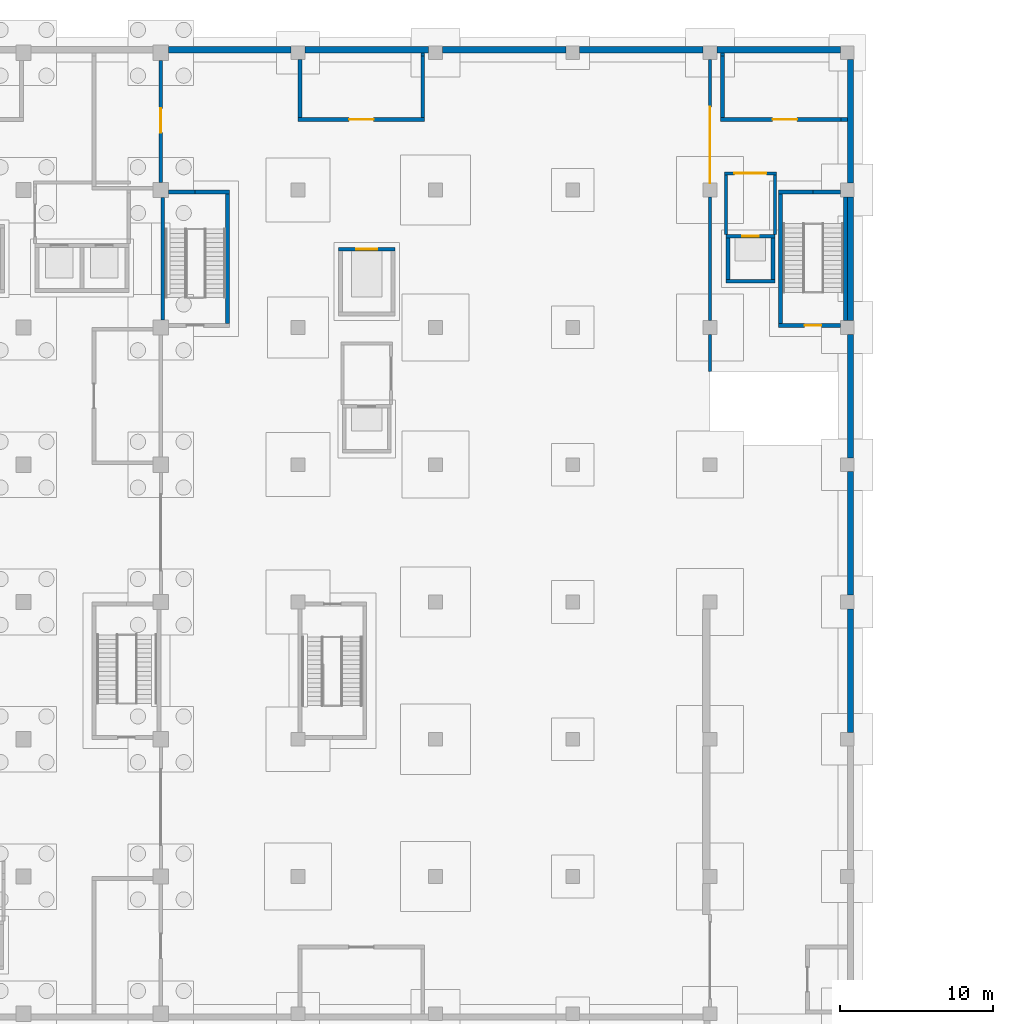
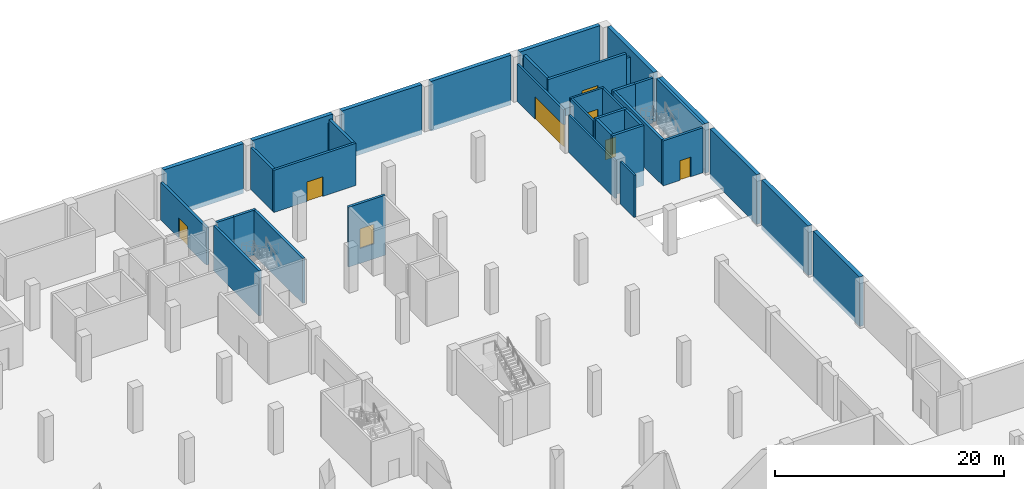
# One storey, part 11 of 17: 39 walls, 8 doors, 8 openings.
"""IFC4 building model written with IfcOpenShell, lengths in metres."""

from ifc_helpers import new_model, si_unit, direction, frame, frame_2d, origin, place, context, subcontext, project, spatial, rectangle, extrude, material, layer, layer_set, type_object, element, fill, save


model = new_model("IFC4")

# Units and contexts
model_context = context("Model", 3, precision=1e-05, world=origin(), true_north=direction((0.0, 1.0)))
body_context = subcontext(model_context, "Body", "Model", "MODEL_VIEW")
ifc_project = project(units=[si_unit("LENGTHUNIT", "METRE"), si_unit("AREAUNIT", "SQUARE_METRE"), si_unit("VOLUMEUNIT", "CUBIC_METRE"), si_unit("PLANEANGLEUNIT", "RADIAN"), si_unit("MASSUNIT", "GRAM", prefix="KILO")], contexts=[model_context])

# Site, building, storey
site_placement = place(None, origin())
site = spatial("IfcSite", under=ifc_project, at=site_placement, CompositionType="ELEMENT")
building_placement = place(site_placement, origin())
building = spatial("IfcBuilding", under=site, at=building_placement, Name="Guidao Yard Department Store", CompositionType="ELEMENT")
storey_placement = place(building_placement, frame((0.0, 0.0, -9.89990234375)))
storey = spatial("IfcBuildingStorey", under=building, at=storey_placement, Name="B2", CompositionType="ELEMENT", Elevation=-9.89990234375)

# Walls
ifc_material_1 = material(Name="Autoclaved aerated concrete block A3.5 B06", Category="concrete")
ifc_layer_1 = layer(ifc_material_1, 0.199951171875)
ifc_layer_set_1 = layer_set([ifc_layer_1], Name="Compartment Fire Wall 200 Autoclaved Block EI 180")
wall_type_1 = type_object("IfcWallType", Name="Compartment Fire Wall 200 Autoclaved Block EI 180", PredefinedType="PARTITIONING", material=ifc_layer_set_1)
wall_1_placement = place(storey_placement, frame((99.0, 87.10009765625, 0.0), z_axis=(0.0, 0.0, 1.0), x_axis=(0.0, 1.0, 0.0)))
element("IfcWall", 1, at=wall_1_placement, inside=storey, type_object=wall_type_1, Name="pt.wall.B2.0061", PredefinedType="PARTITIONING", context=body_context, shape_type="SweptSolid", body=[
    extrude(rectangle(XDim=2.449951171875, YDim=0.199951171875, at=frame_2d((1.22509765625, 0.0))), origin(), (0.0, 0.0, 1.0), 4.5),
])
wall_2_placement = place(storey_placement, frame((99.0, 90.449951171875, 0.0), z_axis=(0.0, 0.0, 1.0), x_axis=(0.0, 1.0, 0.0)))
element("IfcWall", 2, at=wall_2_placement, inside=storey, type_object=wall_type_1, Name="pt.wall.B2.0062", PredefinedType="PARTITIONING", context=body_context, shape_type="SweptSolid", body=[
    extrude(rectangle(XDim=8.10009765625, YDim=0.199951171875, at=frame_2d((4.050048828125, 0.0))), origin(), (0.0, 0.0, 1.0), 4.0),
])

# Wall, opening, door
wall_3_placement = place(storey_placement, frame((99.0, 99.449951171875, 0.0), z_axis=(0.0, 0.0, 1.0), x_axis=(0.0, 1.0, 0.0)))
wall_3 = element("IfcWall", 3, at=wall_3_placement, inside=storey, type_object=wall_type_1, Name="pt.wall.B2.0063", PredefinedType="PARTITIONING", context=body_context, shape_type="SweptSolid", body=[
    extrude(rectangle(XDim=8.10009765625, YDim=0.199951171875, at=frame_2d((4.050048828125, 0.0))), origin(), (0.0, 0.0, 1.0), 4.0),
])
opening_1_placement = place(wall_3_placement, origin())
opening_1 = element("IfcOpeningElement", 4, at=opening_1_placement, cuts=wall_3, Name="Opening B2-429", PredefinedType="OPENING", context=body_context, shape_type="SweptSolid", body=[
    extrude(rectangle(XDim=5.0, YDim=2.39990234375, at=frame_2d((2.5, 1.199951171875))), frame((0.0, 0.10986328125, 0.0), z_axis=(0.0, -1.0, 0.0), x_axis=(1.0, 0.0, 0.0)), (0.0, 0.0, 1.0), 0.219970703125),
])
ifc_material_2 = material(Name="Steel Q235", Category="steel")
door_type_1 = type_object("IfcDoorType", Name="Fire Shutter 5000 x 2400 FD90", OperationType="ROLLINGUP", PredefinedType="DOOR", material=ifc_material_2)
door_1_placement = place(opening_1_placement, origin())
door_1 = element("IfcDoor", 5, at=door_1_placement, inside=storey, type_object=door_type_1, Name="Door B2-429", OperationType="SINGLE_SWING_LEFT", OverallHeight=2.39990234375, OverallWidth=5.0, PredefinedType="DOOR", context=body_context, shape_type="SweptSolid", body=[
    extrude(rectangle(XDim=5.0, YDim=2.39990234375, at=frame_2d((2.5, 1.199951171875))), frame((0.0, 0.02490234375, 0.0), z_axis=(0.0, -1.0, 0.0), x_axis=(1.0, 0.0, 0.0)), (0.0, 0.0, 1.0), 0.050048828125),
])
fill(opening_1, door_1)

# Walls
ifc_material_3 = material(Name="Concrete C40", Category="concrete")
ifc_layer_2 = layer(ifc_material_3, 0.39990234375)
ifc_layer_set_2 = layer_set([ifc_layer_2], Name="Retaining wall 400 C40")
wall_type_2 = type_object("IfcWallType", Name="Retaining wall 400 C40", PredefinedType="SOLIDWALL", material=ifc_layer_set_2)
for number, where, z_axis, x_axis, name in (
    (6, (108.199951171875, 63.449951171875, -0.5), (0.0, 0.0, 1.0), (0.0, 1.0, 0.0), "Retaining wall B2-040"),
    (7, (108.199951171875, 72.449951171875, -0.5), (0.0, 0.0, 1.0), (0.0, 1.0, 0.0), "Retaining wall B2-042"),
    (8, (108.199951171875, 81.449951171875, -0.5), (0.0, 0.0, 1.0), (0.0, 1.0, 0.0), "Retaining wall B2-044"),
    (9, (108.199951171875, 90.449951171875, -0.5), (0.0, 0.0, 1.0), (0.0, 1.0, 0.0), "Retaining wall B2-046"),
    (10, (108.199951171875, 99.449951171875, -0.5), (0.0, 0.0, 1.0), (0.0, 1.0, 0.0), "Retaining wall B2-048"),
):
    element("IfcWall", number, at=place(storey_placement, frame(where, z_axis=z_axis, x_axis=x_axis)), inside=storey, type_object=wall_type_2, Name=name, PredefinedType="SOLIDWALL", context=body_context, shape_type="SweptSolid", body=[
        extrude(rectangle(XDim=8.10009765625, YDim=0.39990234375, at=frame_2d((4.050048828125, 0.0))), origin(), (0.0, 0.0, 1.0), 5.2998046875),
    ])
wall_4_placement = place(storey_placement, frame((63.5, 108.199951171875, -0.5), z_axis=(0.0, 0.0, 1.0), x_axis=(1.0, 0.0, 0.0)))
element("IfcWall", 11, at=wall_4_placement, inside=storey, type_object=wall_type_2, Name="Retaining wall B2-057", PredefinedType="SOLIDWALL", context=body_context, shape_type="SweptSolid", body=[
    extrude(rectangle(XDim=8.050048828125, YDim=0.39990234375, at=frame_2d((4.02490234375, 0.0))), origin(), (0.0, 0.0, 1.0), 5.2998046875),
])
for number, where, z_axis, x_axis, name in (
    (12, (72.449951171875, 108.199951171875, -0.5), (0.0, 0.0, 1.0), (1.0, 0.0, 0.0), "Retaining wall B2-058"),
    (13, (81.449951171875, 108.199951171875, -0.5), (0.0, 0.0, 1.0), (1.0, 0.0, 0.0), "Retaining wall B2-059"),
    (14, (90.449951171875, 108.199951171875, -0.5), (0.0, 0.0, 1.0), (1.0, 0.0, 0.0), "Retaining wall B2-060"),
    (15, (99.449951171875, 108.199951171875, -0.5), (0.0, 0.0, 1.0), (1.0, 0.0, 0.0), "Retaining wall B2-061"),
):
    element("IfcWall", number, at=place(storey_placement, frame(where, z_axis=z_axis, x_axis=x_axis)), inside=storey, type_object=wall_type_2, Name=name, PredefinedType="SOLIDWALL", context=body_context, shape_type="SweptSolid", body=[
        extrude(rectangle(XDim=8.10009765625, YDim=0.39990234375, at=frame_2d((4.050048828125, 0.0))), origin(), (0.0, 0.0, 1.0), 5.2998046875),
    ])

# Wall, opening, door
ifc_material_4 = material(Name="Autoclaved aerated concrete block A3.5 B06", Category="concrete")
ifc_layer_3 = layer(ifc_material_4, 0.199951171875)
ifc_layer_set_3 = layer_set([ifc_layer_3], Name="Shaft Wall 200 Autoclaved Block EI 120")
wall_type_3 = type_object("IfcWallType", Name="Shaft Wall 200 Autoclaved Block EI 120", PredefinedType="PARTITIONING", material=ifc_layer_set_3)
wall_5_placement = place(storey_placement, frame((99.949951171875, 100.10009765625, 0.0), z_axis=(0.0, 0.0, 1.0), x_axis=(1.0, 0.0, 0.0)))
wall_5 = element("IfcWall", 16, at=wall_5_placement, inside=storey, type_object=wall_type_3, Name="pt.wall.B2.0027", PredefinedType="PARTITIONING", context=body_context, shape_type="SweptSolid", body=[
    extrude(rectangle(XDim=3.400146484375, YDim=0.199951171875, at=frame_2d((1.7001953125, 0.0))), origin(), (0.0, 0.0, 1.0), 4.5),
])
opening_2_placement = place(wall_5_placement, frame((2.75, 0.0, 0.0), z_axis=(0.0, 0.0, 1.0), x_axis=(-1.0, 0.0, 0.0)))
opening_2 = element("IfcOpeningElement", 17, at=opening_2_placement, cuts=wall_5, Name="Opening B2-423", PredefinedType="OPENING", context=body_context, shape_type="SweptSolid", body=[
    extrude(rectangle(XDim=2.10009765625, YDim=2.39990234375, at=frame_2d((1.050048828125, 1.199951171875))), frame((0.0, 0.10986328125, 0.0), z_axis=(0.0, -1.0, 0.0), x_axis=(1.0, 0.0, 0.0)), (0.0, 0.0, 1.0), 0.219970703125),
])
ifc_material_5 = material(Name="Timber door leaf with Steel Q235 frame", Category="steel")
door_type_2 = type_object("IfcDoorType", Name="Door 2100 x 2400 FD60 Double Leaf", OperationType="DOUBLE_DOOR_SINGLE_SWING", PredefinedType="DOOR", material=ifc_material_5)
door_2_placement = place(opening_2_placement, origin())
door_2 = element("IfcDoor", 18, at=door_2_placement, inside=storey, type_object=door_type_2, Name="Door B2-423", OperationType="DOUBLE_DOOR_SINGLE_SWING", OverallHeight=2.39990234375, OverallWidth=2.10009765625, PredefinedType="DOOR", context=body_context, shape_type="SweptSolid", body=[
    extrude(rectangle(XDim=2.10009765625, YDim=2.39990234375, at=frame_2d((1.050048828125, 1.199951171875))), frame((0.0, 0.02490234375, 0.0), z_axis=(0.0, -1.0, 0.0), x_axis=(1.0, 0.0, 0.0)), (0.0, 0.0, 1.0), 0.050048828125),
])
fill(opening_2, door_2)

# Walls
for number, where, z_axis, x_axis, name in (
    (19, (100.050048828125, 96.10009765625, 0.0), (0.0, 0.0, 1.0), (0.0, 1.0, 0.0), "pt.wall.B2.0065"),
    (20, (103.25, 96.10009765625, 0.0), (0.0, 0.0, 1.0), (0.0, 1.0, 0.0), "pt.wall.B2.0066"),
):
    element("IfcWall", number, at=place(storey_placement, frame(where, z_axis=z_axis, x_axis=x_axis)), inside=storey, type_object=wall_type_3, Name=name, PredefinedType="PARTITIONING", context=body_context, shape_type="SweptSolid", body=[
        extrude(rectangle(XDim=3.89990234375, YDim=0.199951171875, at=frame_2d((1.949951171875, 0.0))), origin(), (0.0, 0.0, 1.0), 4.5),
    ])

# Wall, opening, door
ifc_material_6 = material(Name="Concrete C40", Category="concrete")
ifc_layer_4 = layer(ifc_material_6, 0.25)
ifc_layer_set_4 = layer_set([ifc_layer_4], Name="Support Wall 250 Concrete C40")
wall_type_4 = type_object("IfcWallType", Name="Support Wall 250 Concrete C40", PredefinedType="SOLIDWALL", material=ifc_layer_set_4)
wall_6_placement = place(storey_placement, frame((72.0, 103.625, 0.0), z_axis=(0.0, 0.0, 1.0), x_axis=(1.0, 0.0, 0.0)))
wall_6 = element("IfcWall", 21, at=wall_6_placement, inside=storey, type_object=wall_type_4, Name="pt.wall.B2.0029", PredefinedType="SOLIDWALL", context=body_context, shape_type="SweptSolid", body=[
    extrude(rectangle(XDim=8.300048828125, YDim=0.25, at=frame_2d((4.14990234375, 0.0))), origin(), (0.0, 0.0, 1.0), 4.5),
])
opening_3_placement = place(wall_6_placement, frame((3.35009765625, 0.0, 0.0)))
opening_3 = element("IfcOpeningElement", 22, at=opening_3_placement, cuts=wall_6, Name="Opening B2-413", PredefinedType="OPENING", context=body_context, shape_type="SweptSolid", body=[
    extrude(rectangle(XDim=1.60009765625, YDim=2.10009765625, at=frame_2d((0.800048828125, 1.050048828125))), frame((0.0, 0.135009765625, 0.0), z_axis=(0.0, -1.0, 0.0), x_axis=(1.0, 0.0, 0.0)), (0.0, 0.0, 1.0), 0.27001953125),
])
ifc_material_7 = material(Name="Timber door leaf with Steel Q235 frame", Category="steel")
door_type_3 = type_object("IfcDoorType", Name="Door 1600 x 2100 FD60 Double Leaf", OperationType="DOUBLE_DOOR_SINGLE_SWING", PredefinedType="DOOR", material=ifc_material_7)
door_3_placement = place(opening_3_placement, origin())
door_3 = element("IfcDoor", 23, at=door_3_placement, inside=storey, type_object=door_type_3, Name="Door B2-413", OperationType="DOUBLE_DOOR_SINGLE_SWING", OverallHeight=2.10009765625, OverallWidth=1.60009765625, PredefinedType="DOOR", context=body_context, shape_type="SweptSolid", body=[
    extrude(rectangle(XDim=1.60009765625, YDim=2.10009765625, at=frame_2d((0.800048828125, 1.050048828125))), frame((0.0, 0.02490234375, 0.0), z_axis=(0.0, -1.0, 0.0), x_axis=(1.0, 0.0, 0.0)), (0.0, 0.0, 1.0), 0.050048828125),
])
fill(opening_3, door_3)

wall_7_placement = place(storey_placement, frame((99.699951171875, 103.625, 0.0), z_axis=(0.0, 0.0, 1.0), x_axis=(1.0, 0.0, 0.0)))
wall_7 = element("IfcWall", 24, at=wall_7_placement, inside=storey, type_object=wall_type_4, Name="pt.wall.B2.0030", PredefinedType="SOLIDWALL", context=body_context, shape_type="SweptSolid", body=[
    extrude(rectangle(XDim=7.900146484375, YDim=0.25, at=frame_2d((3.9501953125, 0.0))), origin(), (0.0, 0.0, 1.0), 4.5),
])
opening_4_placement = place(wall_7_placement, frame((3.41259765625, 0.0, 0.0)))
opening_4 = element("IfcOpeningElement", 25, at=opening_4_placement, cuts=wall_7, Name="Opening B2-415", PredefinedType="OPENING", context=body_context, shape_type="SweptSolid", body=[
    extrude(rectangle(XDim=1.60009765625, YDim=2.10009765625, at=frame_2d((0.800048828125, 1.050048828125))), frame((0.0, 0.135009765625, 0.0), z_axis=(0.0, -1.0, 0.0), x_axis=(1.0, 0.0, 0.0)), (0.0, 0.0, 1.0), 0.27001953125),
])
door_4_placement = place(opening_4_placement, origin())
door_4 = element("IfcDoor", 26, at=door_4_placement, inside=storey, type_object=door_type_3, Name="Door B2-415", OperationType="DOUBLE_DOOR_SINGLE_SWING", OverallHeight=2.10009765625, OverallWidth=1.60009765625, PredefinedType="DOOR", context=body_context, shape_type="SweptSolid", body=[
    extrude(rectangle(XDim=1.60009765625, YDim=2.10009765625, at=frame_2d((0.800048828125, 1.050048828125))), frame((0.0, 0.02490234375, 0.0), z_axis=(0.0, -1.0, 0.0), x_axis=(1.0, 0.0, 0.0)), (0.0, 0.0, 1.0), 0.050048828125),
])
fill(opening_4, door_4)

# Wall
wall_8_placement = place(storey_placement, frame((107.60009765625, 103.625, 0.0), z_axis=(0.0, 0.0, 1.0), x_axis=(1.0, 0.0, 0.0)))
element("IfcWall", 27, at=wall_8_placement, inside=storey, type_object=wall_type_4, Name="pt.wall.B2.0030a", PredefinedType="SOLIDWALL", context=body_context, shape_type="SweptSolid", body=[
    extrude(rectangle(XDim=0.39990234375, YDim=0.25, at=frame_2d((0.199951171875, 0.0))), origin(), (0.0, 0.0, 1.0), 4.0),
])

# Wall, opening, door
wall_9_placement = place(storey_placement, frame((63.0, 99.5, 0.0), z_axis=(0.0, 0.0, 1.0), x_axis=(0.0, 1.0, 0.0)))
wall_9 = element("IfcWall", 28, at=wall_9_placement, inside=storey, type_object=wall_type_4, Name="pt.wall.B2.0053", PredefinedType="SOLIDWALL", context=body_context, shape_type="SweptSolid", body=[
    extrude(rectangle(XDim=8.0, YDim=0.25, at=frame_2d((4.0, 0.0))), origin(), (0.0, 0.0, 1.0), 4.0),
])
opening_5_placement = place(wall_9_placement, frame((3.262451171875, 0.0, 0.0)))
opening_5 = element("IfcOpeningElement", 29, at=opening_5_placement, cuts=wall_9, Name="Opening B2-409", PredefinedType="OPENING", context=body_context, shape_type="SweptSolid", body=[
    extrude(rectangle(XDim=1.60009765625, YDim=2.10009765625, at=frame_2d((0.800048828125, 1.050048828125))), frame((0.0, 0.135009765625, 0.0), z_axis=(0.0, -1.0, 0.0), x_axis=(1.0, 0.0, 0.0)), (0.0, 0.0, 1.0), 0.27001953125),
])
door_5_placement = place(opening_5_placement, origin())
door_5 = element("IfcDoor", 30, at=door_5_placement, inside=storey, type_object=door_type_3, Name="Door B2-409", OperationType="DOUBLE_DOOR_SINGLE_SWING", OverallHeight=2.10009765625, OverallWidth=1.60009765625, PredefinedType="DOOR", context=body_context, shape_type="SweptSolid", body=[
    extrude(rectangle(XDim=1.60009765625, YDim=2.10009765625, at=frame_2d((0.800048828125, 1.050048828125))), frame((0.0, 0.02490234375, 0.0), z_axis=(0.0, -1.0, 0.0), x_axis=(1.0, 0.0, 0.0)), (0.0, 0.0, 1.0), 0.050048828125),
])
fill(opening_5, door_5)

# Walls
wall_10_placement = place(storey_placement, frame((72.125, 103.75, 0.0), z_axis=(0.0, 0.0, 1.0), x_axis=(0.0, 1.0, 0.0)))
element("IfcWall", 31, at=wall_10_placement, inside=storey, type_object=wall_type_4, Name="pt.wall.B2.0055", PredefinedType="SOLIDWALL", context=body_context, shape_type="SweptSolid", body=[
    extrude(rectangle(XDim=3.800048828125, YDim=0.25, at=frame_2d((1.89990234375, 0.0))), origin(), (0.0, 0.0, 1.0), 4.5),
])
wall_11_placement = place(storey_placement, frame((80.175048828125, 103.75, 0.0), z_axis=(0.0, 0.0, 1.0), x_axis=(0.0, 1.0, 0.0)))
element("IfcWall", 32, at=wall_11_placement, inside=storey, type_object=wall_type_4, Name="pt.wall.B2.0059", PredefinedType="SOLIDWALL", context=body_context, shape_type="SweptSolid", body=[
    extrude(rectangle(XDim=4.050048828125, YDim=0.25, at=frame_2d((2.02490234375, 0.0))), origin(), (0.0, 0.0, 1.0), 4.5),
])
wall_12_placement = place(storey_placement, frame((80.175048828125, 107.800048828125, 0.0), z_axis=(0.0, 0.0, 1.0), x_axis=(0.0, 1.0, 0.0)))
element("IfcWall", 33, at=wall_12_placement, inside=storey, type_object=wall_type_4, Name="pt.wall.B2.0059a", PredefinedType="SOLIDWALL", context=body_context, shape_type="SweptSolid", body=[
    extrude(rectangle(XDim=0.199951171875, YDim=0.25, at=frame_2d((0.10009765625, 0.0))), origin(), (0.0, 0.0, 1.0), 4.0),
])
wall_13_placement = place(storey_placement, frame((99.824951171875, 103.75, 0.0), z_axis=(0.0, 0.0, 1.0), x_axis=(0.0, 1.0, 0.0)))
element("IfcWall", 34, at=wall_13_placement, inside=storey, type_object=wall_type_4, Name="pt.wall.B2.0064", PredefinedType="SOLIDWALL", context=body_context, shape_type="SweptSolid", body=[
    extrude(rectangle(XDim=4.050048828125, YDim=0.25, at=frame_2d((2.02490234375, 0.0))), origin(), (0.0, 0.0, 1.0), 4.5),
])
wall_14_placement = place(storey_placement, frame((99.824951171875, 107.800048828125, 0.0), z_axis=(0.0, 0.0, 1.0), x_axis=(0.0, 1.0, 0.0)))
element("IfcWall", 35, at=wall_14_placement, inside=storey, type_object=wall_type_4, Name="pt.wall.B2.0064a", PredefinedType="SOLIDWALL", context=body_context, shape_type="SweptSolid", body=[
    extrude(rectangle(XDim=0.199951171875, YDim=0.25, at=frame_2d((0.10009765625, 0.0))), origin(), (0.0, 0.0, 1.0), 4.0),
])

# Wall, opening, door
ifc_material_8 = material(Name="Concrete C40", Category="concrete")
ifc_layer_5 = layer(ifc_material_8, 0.25)
ifc_layer_set_5 = layer_set([ifc_layer_5], Name="Wall RC 250 C40 stair and shaft")
wall_type_5 = type_object("IfcWallType", Name="Wall RC 250 C40 stair and shaft", PredefinedType="SHEAR", material=ifc_layer_set_5)
wall_15_placement = place(storey_placement, frame((103.5, 90.125, 0.0), z_axis=(0.0, 0.0, 1.0), x_axis=(1.0, 0.0, 0.0)))
wall_15 = element("IfcWall", 36, at=wall_15_placement, inside=storey, type_object=wall_type_5, Name="Stair wall BSG2", PredefinedType="SHEAR", context=body_context, shape_type="SweptSolid", body=[
    extrude(rectangle(XDim=4.050048828125, YDim=0.25, at=frame_2d((2.02490234375, 0.0))), origin(), (0.0, 0.0, 1.0), 4.7998046875),
])
opening_6_placement = place(wall_15_placement, frame((1.699951171875, 0.0, 0.0)))
opening_6 = element("IfcOpeningElement", 37, at=opening_6_placement, cuts=wall_15, Name="Opening B2-801", PredefinedType="OPENING", context=body_context, shape_type="SweptSolid", body=[
    extrude(rectangle(XDim=1.10009765625, YDim=2.10009765625, at=frame_2d((0.550048828125, 1.050048828125))), frame((0.0, 0.135009765625, 0.0), z_axis=(0.0, -1.0, 0.0), x_axis=(1.0, 0.0, 0.0)), (0.0, 0.0, 1.0), 0.27001953125),
])
ifc_material_9 = material(Name="Steel Q235", Category="steel")
door_type_4 = type_object("IfcDoorType", Name="Door fire-resisting 1100 x 2100 FD60", OperationType="SINGLE_SWING_LEFT", PredefinedType="DOOR", material=ifc_material_9)
door_6_placement = place(opening_6_placement, origin())
door_6 = element("IfcDoor", 38, at=door_6_placement, inside=storey, type_object=door_type_4, Name="Basement stair G2 door B2", OperationType="SINGLE_SWING_RIGHT", OverallHeight=2.10009765625, OverallWidth=1.10009765625, PredefinedType="DOOR", context=body_context, shape_type="SweptSolid", body=[
    extrude(rectangle(XDim=1.10009765625, YDim=2.10009765625, at=frame_2d((0.550048828125, 1.050048828125))), frame((0.0, 0.02490234375, 0.0), z_axis=(0.0, -1.0, 0.0), x_axis=(1.0, 0.0, 0.0)), (0.0, 0.0, 1.0), 0.050048828125),
])
fill(opening_6, door_6)

# Walls
wall_16_placement = place(storey_placement, frame((103.5, 98.875, 0.0), z_axis=(0.0, 0.0, 1.0), x_axis=(1.0, 0.0, 0.0)))
element("IfcWall", 39, at=wall_16_placement, inside=storey, type_object=wall_type_5, Name="Stair wall BSG2", PredefinedType="SHEAR", context=body_context, shape_type="SweptSolid", body=[
    extrude(rectangle(XDim=2.25, YDim=0.25, at=frame_2d((1.125, 0.0))), origin(), (0.0, 0.0, 1.0), 4.7998046875),
])
wall_17_placement = place(storey_placement, frame((105.75, 98.875, 0.0), z_axis=(0.0, 0.0, 1.0), x_axis=(1.0, 0.0, 0.0)))
element("IfcWall", 40, at=wall_17_placement, inside=storey, type_object=wall_type_5, Name="Stair wall BSG2", PredefinedType="SHEAR", context=body_context, shape_type="SweptSolid", body=[
    extrude(rectangle(XDim=1.800048828125, YDim=0.25, at=frame_2d((0.89990234375, 0.0))), origin(), (0.0, 0.0, 1.0), 4.7998046875),
])
wall_18_placement = place(storey_placement, frame((103.625, 90.25, 0.0), z_axis=(0.0, 0.0, 1.0), x_axis=(0.0, 1.0, 0.0)))
element("IfcWall", 41, at=wall_18_placement, inside=storey, type_object=wall_type_5, Name="Stair wall BSG2", PredefinedType="SHEAR", context=body_context, shape_type="SweptSolid", body=[
    extrude(rectangle(XDim=8.5, YDim=0.25, at=frame_2d((4.25, 0.0))), origin(), (0.0, 0.0, 1.0), 4.7998046875),
])
wall_19_placement = place(storey_placement, frame((107.875, 90.449951171875, 0.0), z_axis=(0.0, 0.0, 1.0), x_axis=(0.0, 1.0, 0.0)))
element("IfcWall", 42, at=wall_19_placement, inside=storey, type_object=wall_type_5, Name="Stair wall BSG2", PredefinedType="SHEAR", context=body_context, shape_type="SweptSolid", body=[
    extrude(rectangle(XDim=8.10009765625, YDim=0.25, at=frame_2d((4.050048828125, 0.0))), origin(), (0.0, 0.0, 1.0), 4.7998046875),
])
wall_20_placement = place(storey_placement, frame((63.5, 98.875, 0.0), z_axis=(0.0, 0.0, 1.0), x_axis=(1.0, 0.0, 0.0)))
element("IfcWall", 43, at=wall_20_placement, inside=storey, type_object=wall_type_5, Name="Stair wall BSH2", PredefinedType="SHEAR", context=body_context, shape_type="SweptSolid", body=[
    extrude(rectangle(XDim=1.75, YDim=0.25, at=frame_2d((0.875, 0.0))), origin(), (0.0, 0.0, 1.0), 4.7998046875),
])
wall_21_placement = place(storey_placement, frame((65.25, 98.875, 0.0), z_axis=(0.0, 0.0, 1.0), x_axis=(1.0, 0.0, 0.0)))
element("IfcWall", 44, at=wall_21_placement, inside=storey, type_object=wall_type_5, Name="Stair wall BSH2", PredefinedType="SHEAR", context=body_context, shape_type="SweptSolid", body=[
    extrude(rectangle(XDim=2.25, YDim=0.25, at=frame_2d((1.125, 0.0))), origin(), (0.0, 0.0, 1.0), 4.7998046875),
])
wall_22_placement = place(storey_placement, frame((63.125, 90.5, 0.0), z_axis=(0.0, 0.0, 1.0), x_axis=(0.0, 1.0, 0.0)))
element("IfcWall", 45, at=wall_22_placement, inside=storey, type_object=wall_type_5, Name="Stair wall BSH2", PredefinedType="SHEAR", context=body_context, shape_type="SweptSolid", body=[
    extrude(rectangle(XDim=8.0, YDim=0.25, at=frame_2d((4.0, 0.0))), origin(), (0.0, 0.0, 1.0), 4.7998046875),
])
wall_23_placement = place(storey_placement, frame((67.375, 90.25, 0.0), z_axis=(0.0, 0.0, 1.0), x_axis=(0.0, 1.0, 0.0)))
element("IfcWall", 46, at=wall_23_placement, inside=storey, type_object=wall_type_5, Name="Stair wall BSH2", PredefinedType="SHEAR", context=body_context, shape_type="SweptSolid", body=[
    extrude(rectangle(XDim=8.5, YDim=0.25, at=frame_2d((4.25, 0.0))), origin(), (0.0, 0.0, 1.0), 4.7998046875),
])

# Wall, opening, door
wall_24_placement = place(storey_placement, frame((74.64990234375, 95.125, -1.60009765625), z_axis=(0.0, 0.0, 1.0), x_axis=(1.0, 0.0, 0.0)))
wall_24 = element("IfcWall", 47, at=wall_24_placement, inside=storey, type_object=wall_type_5, Name="Lift shaft wall GG1", PredefinedType="SHEAR", context=body_context, shape_type="SweptSolid", body=[
    extrude(rectangle(XDim=3.7001953125, YDim=0.25, at=frame_2d((1.85009765625, 0.0))), origin(), (0.0, 0.0, 1.0), 6.39990234375),
])
opening_7_placement = place(wall_24_placement, frame((1.14990234375, 0.0, 1.60009765625)))
opening_7 = element("IfcOpeningElement", 48, at=opening_7_placement, cuts=wall_24, Name="Opening LD-GG1-B2", PredefinedType="OPENING", context=body_context, shape_type="SweptSolid", body=[
    extrude(rectangle(XDim=1.39990234375, YDim=2.10009765625, at=frame_2d((0.699951171875, 1.050048828125))), frame((0.0, 0.135009765625, 0.0), z_axis=(0.0, -1.0, 0.0), x_axis=(1.0, 0.0, 0.0)), (0.0, 0.0, 1.0), 0.27001953125),
])
ifc_material_10 = material(Name="Stainless steel 06Cr19Ni10", Category="steel")
door_type_5 = type_object("IfcDoorType", Name="Lift landing door fire-resisting sliding 1400 x 2100", OperationType="DOUBLE_DOOR_SLIDING", PredefinedType="DOOR", material=ifc_material_10)
door_7_placement = place(opening_7_placement, origin())
door_7 = element("IfcDoor", 49, at=door_7_placement, inside=storey, type_object=door_type_5, Name="Lift landing door GG1 B2", OperationType="DOUBLE_DOOR_SLIDING", OverallHeight=2.10009765625, OverallWidth=1.39990234375, PredefinedType="DOOR", context=body_context, shape_type="SweptSolid", body=[
    extrude(rectangle(XDim=1.39990234375, YDim=2.10009765625, at=frame_2d((0.699951171875, 1.050048828125))), frame((0.0, 0.02490234375, 0.0), z_axis=(0.0, -1.0, 0.0), x_axis=(1.0, 0.0, 0.0)), (0.0, 0.0, 1.0), 0.050048828125),
])
fill(opening_7, door_7)

wall_25_placement = place(storey_placement, frame((100.050048828125, 95.97509765625, -1.60009765625), z_axis=(0.0, 0.0, 1.0), x_axis=(1.0, 0.0, 0.0)))
wall_25 = element("IfcWall", 50, at=wall_25_placement, inside=storey, type_object=wall_type_5, Name="Lift shaft wall GL2", PredefinedType="SHEAR", context=body_context, shape_type="SweptSolid", body=[
    extrude(rectangle(XDim=3.199951171875, YDim=0.25, at=frame_2d((1.60009765625, 0.0))), origin(), (0.0, 0.0, 1.0), 6.39990234375),
])
opening_8_placement = place(wall_25_placement, frame((1.050048828125, 0.0, 1.60009765625)))
opening_8 = element("IfcOpeningElement", 51, at=opening_8_placement, cuts=wall_25, Name="Opening LD-GL2-B2", PredefinedType="OPENING", context=body_context, shape_type="SweptSolid", body=[
    extrude(rectangle(XDim=1.10009765625, YDim=2.10009765625, at=frame_2d((0.550048828125, 1.050048828125))), frame((0.0, 0.135009765625, 0.0), z_axis=(0.0, -1.0, 0.0), x_axis=(1.0, 0.0, 0.0)), (0.0, 0.0, 1.0), 0.27001953125),
])
ifc_material_11 = material(Name="Stainless steel 06Cr19Ni10", Category="steel")
door_type_6 = type_object("IfcDoorType", Name="Lift landing door fire-resisting sliding 1100 x 2100", OperationType="DOUBLE_DOOR_SLIDING", PredefinedType="DOOR", material=ifc_material_11)
door_8_placement = place(opening_8_placement, origin())
door_8 = element("IfcDoor", 52, at=door_8_placement, inside=storey, type_object=door_type_6, Name="Lift landing door GL2 B2", OperationType="DOUBLE_DOOR_SLIDING", OverallHeight=2.10009765625, OverallWidth=1.10009765625, PredefinedType="DOOR", context=body_context, shape_type="SweptSolid", body=[
    extrude(rectangle(XDim=1.10009765625, YDim=2.10009765625, at=frame_2d((0.550048828125, 1.050048828125))), frame((0.0, 0.02490234375, 0.0), z_axis=(0.0, -1.0, 0.0), x_axis=(1.0, 0.0, 0.0)), (0.0, 0.0, 1.0), 0.050048828125),
])
fill(opening_8, door_8)

# Walls
wall_26_placement = place(storey_placement, frame((100.050048828125, 93.02490234375, -1.60009765625), z_axis=(0.0, 0.0, 1.0), x_axis=(1.0, 0.0, 0.0)))
element("IfcWall", 53, at=wall_26_placement, inside=storey, type_object=wall_type_5, Name="Lift shaft wall GL2", PredefinedType="SHEAR", context=body_context, shape_type="SweptSolid", body=[
    extrude(rectangle(XDim=3.199951171875, YDim=0.25, at=frame_2d((1.60009765625, 0.0))), origin(), (0.0, 0.0, 1.0), 6.39990234375),
])
for number, where, z_axis, x_axis, name in (
    (54, (100.175048828125, 93.14990234375, -1.60009765625), (0.0, 0.0, 1.0), (0.0, 1.0, 0.0), "Lift shaft wall GL2"),
    (55, (103.125, 93.14990234375, -1.60009765625), (0.0, 0.0, 1.0), (0.0, 1.0, 0.0), "Lift shaft wall GL2"),
):
    element("IfcWall", number, at=place(storey_placement, frame(where, z_axis=z_axis, x_axis=x_axis)), inside=storey, type_object=wall_type_5, Name=name, PredefinedType="SHEAR", context=body_context, shape_type="SweptSolid", body=[
        extrude(rectangle(XDim=2.7001953125, YDim=0.25, at=frame_2d((1.35009765625, 0.0))), origin(), (0.0, 0.0, 1.0), 6.39990234375),
    ])

save(model, "model.ifc")
